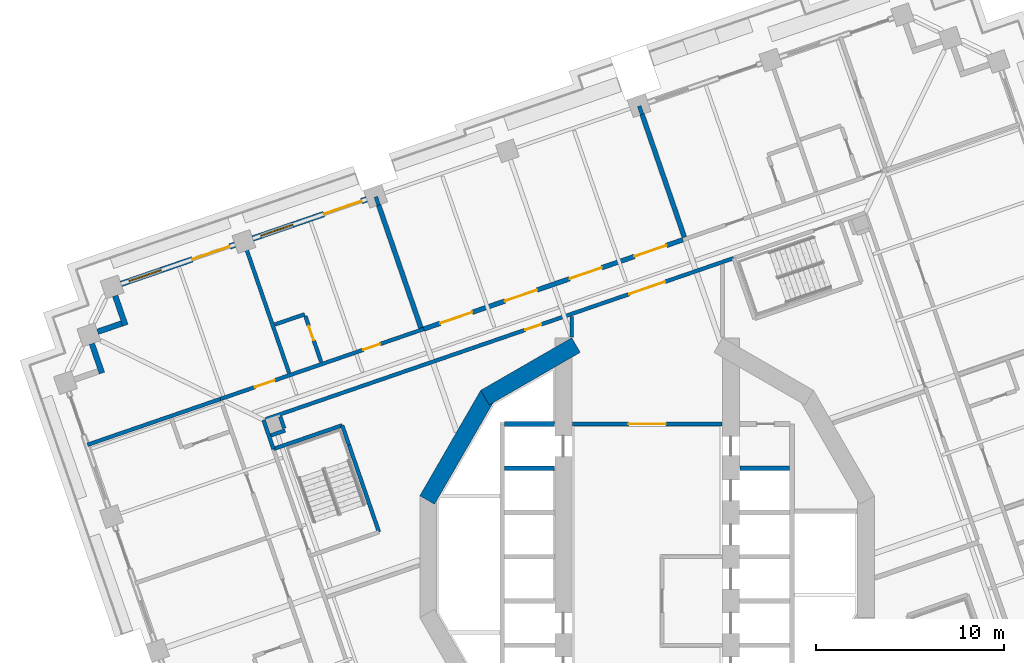
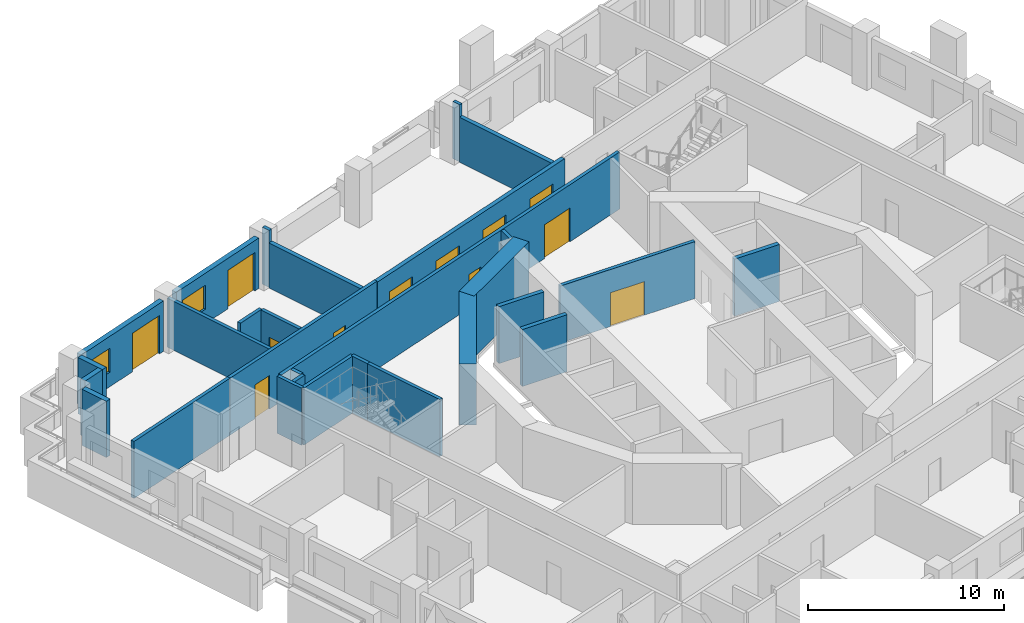
# One storey, part 8 of 18: 29 walls, 12 doors, 2 windows, 14 openings.
"""IFC4 building model written with IfcOpenShell, lengths in metres."""

from ifc_helpers import new_model, si_unit, direction, frame, frame_2d, origin, place, context, subcontext, project, spatial, rectangle, extrude, material, layer, layer_set, type_object, element, fill, save


model = new_model("IFC4")

# Units and contexts
model_context = context("Model", 3, precision=1e-05, world=origin(), true_north=direction((0.0, 1.0)))
body_context = subcontext(model_context, "Body", "Model", "MODEL_VIEW")
ifc_project = project(units=[si_unit("LENGTHUNIT", "METRE"), si_unit("AREAUNIT", "SQUARE_METRE"), si_unit("VOLUMEUNIT", "CUBIC_METRE"), si_unit("PLANEANGLEUNIT", "RADIAN"), si_unit("MASSUNIT", "GRAM", prefix="KILO")], contexts=[model_context])

# Site, building, storey
site_placement = place(None, origin())
site = spatial("IfcSite", under=ifc_project, at=site_placement, CompositionType="ELEMENT")
building_placement = place(site_placement, origin())
building = spatial("IfcBuilding", under=site, at=building_placement, Name="Cantera Rosa Tower", CompositionType="ELEMENT")
storey_placement = place(building_placement, frame((0.0, 0.0, 134.5)))
storey = spatial("IfcBuildingStorey", under=building, at=storey_placement, Name="L28", CompositionType="ELEMENT", Elevation=134.5)

# Walls
ifc_material_1 = material(Name="Gypsum board partition")
ifc_layer_1 = layer(ifc_material_1, 0.199951171875)
ifc_layer_set_1 = layer_set([ifc_layer_1], Name="CORRIDOR WALL 200 H3550")
wall_type_1 = type_object("IfcWallType", Name="CORRIDOR WALL 200 H3550", PredefinedType="PARTITIONING", material=ifc_layer_set_1)
wall_1_placement = place(storey_placement, frame((-20.37451171875, 7.262451171875, 0.0), z_axis=(0.0, 0.0, 1.0), x_axis=(0.325532736599, -0.945530770204, 0.0)))
element("IfcWall", 1, at=wall_1_placement, inside=storey, type_object=wall_type_1, Name="CORRIDOR WALL L28-007", PredefinedType="PARTITIONING", context=body_context, shape_type="SweptSolid", body=[
    extrude(rectangle(XDim=1.626708984375, YDim=0.199951171875, at=frame_2d((0.8134765625, 0.0))), origin(), (0.0, 0.0, 1.0), 3.550048828125),
])
wall_2_placement = place(storey_placement, frame((-4.0, 12.760498046875, 0.0), z_axis=(0.0, 0.0, 1.0), x_axis=(0.0, -1.0, 0.0)))
element("IfcWall", 2, at=wall_2_placement, inside=storey, type_object=wall_type_1, Name="CORRIDOR WALL L28-050", PredefinedType="PARTITIONING", context=body_context, shape_type="SweptSolid", body=[
    extrude(rectangle(XDim=1.09326171875, YDim=0.199951171875, at=frame_2d((0.546630859375, 0.0))), origin(), (0.0, 0.0, 1.0), 3.550048828125),
])

# Wall, opening, door
wall_3_placement = place(storey_placement, frame((-3.969970703125, 7.050048828125, 0.0), z_axis=(0.0, 0.0, 1.0), x_axis=(1.0, 0.0, 0.0)))
wall_3 = element("IfcWall", 3, at=wall_3_placement, inside=storey, type_object=wall_type_1, Name="CORRIDOR WALL L28-051", PredefinedType="PARTITIONING", context=body_context, shape_type="SweptSolid", body=[
    extrude(rectangle(XDim=7.93994140625, YDim=0.199951171875, at=frame_2d((3.969970703125, 0.0))), origin(), (0.0, 0.0, 1.0), 3.550048828125),
])
opening_1_placement = place(wall_3_placement, frame((2.969970703125, 0.0, 0.0)))
opening_1 = element("IfcOpeningElement", 4, at=opening_1_placement, cuts=wall_3, Name="Opening L28-011", PredefinedType="OPENING", context=body_context, shape_type="SweptSolid", body=[
    extrude(rectangle(XDim=2.0, YDim=2.10009765625, at=frame_2d((1.0, 1.050048828125))), frame((0.0, 0.10986328125, 0.0), z_axis=(0.0, -1.0, 0.0), x_axis=(1.0, 0.0, 0.0)), (0.0, 0.0, 1.0), 0.219970703125),
])
ifc_material_2 = material(Name="Steel S355J2 (EN 10025-2)", Category="steel")
door_type_1 = type_object("IfcDoorType", Name="LOBBY SCREEN DOOR 2000x2100", OperationType="NOTDEFINED", PredefinedType="DOOR", material=ifc_material_2)
door_1_placement = place(opening_1_placement, origin())
door_1 = element("IfcDoor", 5, at=door_1_placement, inside=storey, type_object=door_type_1, Name="DOOR L28-011", OperationType="NOTDEFINED", OverallHeight=2.10009765625, OverallWidth=2.0, PredefinedType="DOOR", context=body_context, shape_type="SweptSolid", body=[
    extrude(rectangle(XDim=2.0, YDim=2.10009765625, at=frame_2d((1.0, 1.050048828125))), frame((0.0, 0.02490234375, 0.0), z_axis=(0.0, -1.0, 0.0), x_axis=(1.0, 0.0, 0.0)), (0.0, 0.0, 1.0), 0.050048828125),
])
fill(opening_1, door_1)

# Wall, openings, doors
wall_4_placement = place(storey_placement, frame((4.599365234375, 15.861572265625, 0.0), z_axis=(0.0, 0.0, 1.0), x_axis=(-0.94551912499, -0.325566558907, 0.0)))
wall_4 = element("IfcWall", 6, at=wall_4_placement, inside=storey, type_object=wall_type_1, Name="CORRIDOR WALL L28-061", PredefinedType="PARTITIONING", context=body_context, shape_type="SweptSolid", body=[
    extrude(rectangle(XDim=26.292724609375, YDim=0.199951171875, at=frame_2d((13.146484375, 0.0))), origin(), (0.0, 0.0, 1.0), 3.550048828125),
])
opening_2_placement = place(wall_4_placement, frame((10.8095703125, 0.0, 0.0)))
opening_2 = element("IfcOpeningElement", 7, at=opening_2_placement, cuts=wall_4, Name="Opening L28-005", PredefinedType="OPENING", context=body_context, shape_type="SweptSolid", body=[
    extrude(rectangle(XDim=0.89990234375, YDim=2.10009765625, at=frame_2d((0.449951171875, 1.050048828125))), frame((0.0, 0.10986328125, 0.0), z_axis=(0.0, -1.0, 0.0), x_axis=(1.0, 0.0, 0.0)), (0.0, 0.0, 1.0), 0.219970703125),
])
opening_3_placement = place(wall_4_placement, frame((3.864501953125, 0.0, 0.0)))
opening_3 = element("IfcOpeningElement", 8, at=opening_3_placement, cuts=wall_4, Name="Opening L28-010", PredefinedType="OPENING", context=body_context, shape_type="SweptSolid", body=[
    extrude(rectangle(XDim=2.0, YDim=2.10009765625, at=frame_2d((1.0, 1.050048828125))), frame((0.0, 0.10986328125, 0.0), z_axis=(0.0, -1.0, 0.0), x_axis=(1.0, 0.0, 0.0)), (0.0, 0.0, 1.0), 0.219970703125),
])
door_2_placement = place(opening_3_placement, origin())
door_2 = element("IfcDoor", 9, at=door_2_placement, inside=storey, type_object=door_type_1, Name="DOOR L28-010", OperationType="NOTDEFINED", OverallHeight=2.10009765625, OverallWidth=2.0, PredefinedType="DOOR", context=body_context, shape_type="SweptSolid", body=[
    extrude(rectangle(XDim=2.0, YDim=2.10009765625, at=frame_2d((1.0, 1.050048828125))), frame((0.0, 0.02490234375, 0.0), z_axis=(0.0, -1.0, 0.0), x_axis=(1.0, 0.0, 0.0)), (0.0, 0.0, 1.0), 0.050048828125),
])
fill(opening_3, door_2)
ifc_material_3 = material(Name="Timber door leaf", Category="wood")
door_type_2 = type_object("IfcDoorType", Name="SERVICE DOOR 900x2100", OperationType="NOTDEFINED", PredefinedType="DOOR", material=ifc_material_3)
door_3_placement = place(opening_2_placement, origin())
door_3 = element("IfcDoor", 10, at=door_3_placement, inside=storey, type_object=door_type_2, Name="DOOR L28-005", OperationType="NOTDEFINED", OverallHeight=2.10009765625, OverallWidth=0.89990234375, PredefinedType="DOOR", context=body_context, shape_type="SweptSolid", body=[
    extrude(rectangle(XDim=0.89990234375, YDim=2.10009765625, at=frame_2d((0.449951171875, 1.050048828125))), frame((0.0, 0.02490234375, 0.0), z_axis=(0.0, -1.0, 0.0), x_axis=(1.0, 0.0, 0.0)), (0.0, 0.0, 1.0), 0.050048828125),
])
fill(opening_2, door_3)

wall_5_placement = place(storey_placement, frame((-11.85986328125, 12.097900390625, 0.0), z_axis=(0.0, 0.0, 1.0), x_axis=(-0.945521627167, -0.325559291927, 0.0)))
wall_5 = element("IfcWall", 11, at=wall_5_placement, inside=storey, type_object=wall_type_1, Name="CORRIDOR WALL L28-089", PredefinedType="PARTITIONING", context=body_context, shape_type="SweptSolid", body=[
    extrude(rectangle(XDim=11.4248046875, YDim=0.199951171875, at=frame_2d((5.71240234375, 0.0))), origin(), (0.0, 0.0, 1.0), 3.550048828125),
])
opening_4_placement = place(wall_5_placement, frame((2.449951171875, 0.0, 0.0)))
opening_4 = element("IfcOpeningElement", 12, at=opening_4_placement, cuts=wall_5, Name="Opening L28-024", PredefinedType="OPENING", context=body_context, shape_type="SweptSolid", body=[
    extrude(rectangle(XDim=0.949951171875, YDim=2.10009765625, at=frame_2d((0.47509765625, 1.050048828125))), frame((0.0, 0.10986328125, 0.0), z_axis=(0.0, -1.0, 0.0), x_axis=(1.0, 0.0, 0.0)), (0.0, 0.0, 1.0), 0.219970703125),
])
opening_5_placement = place(wall_5_placement, frame((8.375, 0.0, 0.0)))
opening_5 = element("IfcOpeningElement", 13, at=opening_5_placement, cuts=wall_5, Name="Opening L28-029", PredefinedType="OPENING", context=body_context, shape_type="SweptSolid", body=[
    extrude(rectangle(XDim=1.10009765625, YDim=2.10009765625, at=frame_2d((0.550048828125, 1.050048828125))), frame((0.0, 0.10986328125, 0.0), z_axis=(0.0, -1.0, 0.0), x_axis=(1.0, 0.0, 0.0)), (0.0, 0.0, 1.0), 0.219970703125),
])
ifc_material_4 = material(Name="Timber door leaf", Category="wood")
door_type_3 = type_object("IfcDoorType", Name="ROOM DOOR 1100x2100", OperationType="NOTDEFINED", PredefinedType="DOOR", material=ifc_material_4)
door_4_placement = place(opening_5_placement, origin())
door_4 = element("IfcDoor", 14, at=door_4_placement, inside=storey, type_object=door_type_3, Name="DOOR L28-029", OperationType="NOTDEFINED", OverallHeight=2.10009765625, OverallWidth=1.10009765625, PredefinedType="DOOR", context=body_context, shape_type="SweptSolid", body=[
    extrude(rectangle(XDim=1.10009765625, YDim=2.10009765625, at=frame_2d((0.550048828125, 1.050048828125))), frame((0.0, 0.02490234375, 0.0), z_axis=(0.0, -1.0, 0.0), x_axis=(1.0, 0.0, 0.0)), (0.0, 0.0, 1.0), 0.050048828125),
])
fill(opening_5, door_4)
ifc_material_5 = material(Name="Timber door leaf", Category="wood")
door_type_4 = type_object("IfcDoorType", Name="ROOM DOOR 950x2100", OperationType="NOTDEFINED", PredefinedType="DOOR", material=ifc_material_5)
door_5_placement = place(opening_4_placement, origin())
door_5 = element("IfcDoor", 15, at=door_5_placement, inside=storey, type_object=door_type_4, Name="DOOR L28-024", OperationType="NOTDEFINED", OverallHeight=2.10009765625, OverallWidth=0.949951171875, PredefinedType="DOOR", context=body_context, shape_type="SweptSolid", body=[
    extrude(rectangle(XDim=0.949951171875, YDim=2.10009765625, at=frame_2d((0.47509765625, 1.050048828125))), frame((0.0, 0.02490234375, 0.0), z_axis=(0.0, -1.0, 0.0), x_axis=(1.0, 0.0, 0.0)), (0.0, 0.0, 1.0), 0.050048828125),
])
fill(opening_4, door_5)

# Walls
ifc_material_6 = material(Name="Hollow clay masonry with cantera stone cladding", Category="masonry")
ifc_layer_2 = layer(ifc_material_6, 0.300048828125)
ifc_layer_set_2 = layer_set([ifc_layer_2], Name="EW-LOGGIA 300")
wall_type_2 = type_object("IfcWallType", Name="EW-LOGGIA 300", PredefinedType="SOLIDWALL", material=ifc_layer_set_2)
wall_6_placement = place(storey_placement, frame((-28.250732421875, 13.857421875, 0.0), z_axis=(0.0, 0.0, 1.0), x_axis=(0.325666906351, -0.945484566827, 0.0)))
element("IfcWall", 16, at=wall_6_placement, inside=storey, type_object=wall_type_2, Name="EN-L28-W14a", PredefinedType="SOLIDWALL", context=body_context, shape_type="SweptSolid", body=[
    extrude(rectangle(XDim=1.64990234375, YDim=0.300048828125, at=frame_2d((0.824951171875, 0.0))), origin(), (0.0, 0.0, 1.0), 3.5),
])
wall_7_placement = place(storey_placement, frame((-27.904052734375, 12.390380859375, 0.0), z_axis=(0.0, 0.0, 1.0), x_axis=(-0.945545797087, -0.325489086777, 0.0)))
element("IfcWall", 17, at=wall_7_placement, inside=storey, type_object=wall_type_2, Name="EN-L28-W14b", PredefinedType="SOLIDWALL", context=body_context, shape_type="SweptSolid", body=[
    extrude(rectangle(XDim=1.35009765625, YDim=0.300048828125, at=frame_2d((0.675048828125, 0.0))), origin(), (0.0, 0.0, 1.0), 3.5),
])
wall_8_placement = place(storey_placement, frame((-29.490478515625, 11.315185546875, 0.0), z_axis=(0.0, 0.0, 1.0), x_axis=(0.32553462645, -0.945530119553, 0.0)))
element("IfcWall", 18, at=wall_8_placement, inside=storey, type_object=wall_type_2, Name="EN-L28-W15a", PredefinedType="SOLIDWALL", context=body_context, shape_type="SweptSolid", body=[
    extrude(rectangle(XDim=1.64990234375, YDim=0.300048828125, at=frame_2d((0.824951171875, 0.0))), origin(), (0.0, 0.0, 1.0), 3.5),
])

# Wall, openings, window, door
ifc_material_7 = material(Name="Hollow clay masonry with cantera stone cladding", Category="masonry")
ifc_layer_3 = layer(ifc_material_7, 0.300048828125)
ifc_layer_set_3 = layer_set([ifc_layer_3], Name="EW-LOGGIA 300 H3140")
wall_type_3 = type_object("IfcWallType", Name="EW-LOGGIA 300 H3140", PredefinedType="SOLIDWALL", material=ifc_layer_set_3)
wall_9_placement = place(storey_placement, frame((-14.892578125, 18.98583984375, 0.0), z_axis=(0.0, 0.0, 1.0), x_axis=(-0.945512753621, -0.325585062219, 0.0)))
wall_9 = element("IfcWall", 19, at=wall_9_placement, inside=storey, type_object=wall_type_3, Name="EN-L28-W12", PredefinedType="SOLIDWALL", context=body_context, shape_type="SweptSolid", body=[
    extrude(rectangle(XDim=6.39990234375, YDim=0.300048828125, at=frame_2d((3.199951171875, 0.0))), origin(), (0.0, 0.0, 1.0), 3.139892578125),
])
opening_6_placement = place(wall_9_placement, frame((0.300048828125, 0.0, 0.0)))
opening_6 = element("IfcOpeningElement", 20, at=opening_6_placement, cuts=wall_9, Name="Opening L28-TD15", PredefinedType="OPENING", context=body_context, shape_type="SweptSolid", body=[
    extrude(rectangle(XDim=2.10009765625, YDim=2.39990234375, at=frame_2d((1.050048828125, 1.199951171875))), frame((0.0, 0.159912109375, 0.0), z_axis=(0.0, -1.0, 0.0), x_axis=(1.0, 0.0, 0.0)), (0.0, 0.0, 1.0), 0.320068359375),
])
opening_7_placement = place(wall_9_placement, frame((4.14990234375, 0.0, 0.89990234375)))
opening_7 = element("IfcOpeningElement", 21, at=opening_7_placement, cuts=wall_9, Name="Opening L28-W16", PredefinedType="OPENING", context=body_context, shape_type="SweptSolid", body=[
    extrude(rectangle(XDim=1.800048828125, YDim=1.5, at=frame_2d((0.89990234375, 0.75))), frame((0.0, 0.159912109375, 0.0), z_axis=(0.0, -1.0, 0.0), x_axis=(1.0, 0.0, 0.0)), (0.0, 0.0, 1.0), 0.320068359375),
])
ifc_material_8 = material(Name="Aluminium frame with clear glass", Category="aluminium")
window_type = type_object("IfcWindowType", Name="Hotel room window 1800x1500", PartitioningType="DOUBLE_PANEL_VERTICAL", PredefinedType="WINDOW", material=ifc_material_8)
window_1_placement = place(opening_7_placement, origin())
window_1 = element("IfcWindow", 22, at=window_1_placement, inside=storey, type_object=window_type, Name="WINDOW L28-W16", OverallHeight=1.5, OverallWidth=1.800048828125, PartitioningType="SINGLE_PANEL", PredefinedType="WINDOW", context=body_context, shape_type="SweptSolid", body=[
    extrude(rectangle(XDim=1.800048828125, YDim=1.5, at=frame_2d((0.89990234375, 0.75))), frame((0.0, 0.030029296875, 0.0), z_axis=(0.0, -1.0, 0.0), x_axis=(1.0, 0.0, 0.0)), (0.0, 0.0, 1.0), 0.06005859375),
])
fill(opening_7, window_1)
ifc_material_9 = material(Name="Aluminium frame with clear glass", Category="aluminium")
door_type_5 = type_object("IfcDoorType", Name="TD-H 2100x2400", OperationType="NOTDEFINED", PredefinedType="DOOR", material=ifc_material_9)
door_6_placement = place(opening_6_placement, origin())
door_6 = element("IfcDoor", 23, at=door_6_placement, inside=storey, type_object=door_type_5, Name="LOGGIA DOOR L28-TD15", OperationType="SLIDING_TO_LEFT", OverallHeight=2.39990234375, OverallWidth=2.10009765625, PredefinedType="DOOR", context=body_context, shape_type="SweptSolid", body=[
    extrude(rectangle(XDim=2.10009765625, YDim=2.39990234375, at=frame_2d((1.050048828125, 1.199951171875))), frame((0.0, 0.02490234375, 0.0), z_axis=(0.0, -1.0, 0.0), x_axis=(1.0, 0.0, 0.0)), (0.0, 0.0, 1.0), 0.050048828125),
])
fill(opening_6, door_6)

wall_10_placement = place(storey_placement, frame((-21.889404296875, 16.57666015625, 0.0), z_axis=(0.0, 0.0, 1.0), x_axis=(-0.945512753621, -0.325585062219, 0.0)))
wall_10 = element("IfcWall", 24, at=wall_10_placement, inside=storey, type_object=wall_type_3, Name="EN-L28-W13", PredefinedType="SOLIDWALL", context=body_context, shape_type="SweptSolid", body=[
    extrude(rectangle(XDim=6.39990234375, YDim=0.300048828125, at=frame_2d((3.199951171875, 0.0))), origin(), (0.0, 0.0, 1.0), 3.139892578125),
])
opening_8_placement = place(wall_10_placement, frame((0.300048828125, 0.0, 0.0)))
opening_8 = element("IfcOpeningElement", 25, at=opening_8_placement, cuts=wall_10, Name="Opening L28-TD17", PredefinedType="OPENING", context=body_context, shape_type="SweptSolid", body=[
    extrude(rectangle(XDim=2.10009765625, YDim=2.39990234375, at=frame_2d((1.050048828125, 1.199951171875))), frame((0.0, 0.159912109375, 0.0), z_axis=(0.0, -1.0, 0.0), x_axis=(1.0, 0.0, 0.0)), (0.0, 0.0, 1.0), 0.320068359375),
])
opening_9_placement = place(wall_10_placement, frame((4.14990234375, 0.0, 0.89990234375)))
opening_9 = element("IfcOpeningElement", 26, at=opening_9_placement, cuts=wall_10, Name="Opening L28-W18", PredefinedType="OPENING", context=body_context, shape_type="SweptSolid", body=[
    extrude(rectangle(XDim=1.800048828125, YDim=1.5, at=frame_2d((0.89990234375, 0.75))), frame((0.0, 0.159912109375, 0.0), z_axis=(0.0, -1.0, 0.0), x_axis=(1.0, 0.0, 0.0)), (0.0, 0.0, 1.0), 0.320068359375),
])
window_2_placement = place(opening_9_placement, origin())
window_2 = element("IfcWindow", 27, at=window_2_placement, inside=storey, type_object=window_type, Name="WINDOW L28-W18", OverallHeight=1.5, OverallWidth=1.800048828125, PartitioningType="SINGLE_PANEL", PredefinedType="WINDOW", context=body_context, shape_type="SweptSolid", body=[
    extrude(rectangle(XDim=1.800048828125, YDim=1.5, at=frame_2d((0.89990234375, 0.75))), frame((0.0, 0.030029296875, 0.0), z_axis=(0.0, -1.0, 0.0), x_axis=(1.0, 0.0, 0.0)), (0.0, 0.0, 1.0), 0.06005859375),
])
fill(opening_9, window_2)
door_7_placement = place(opening_8_placement, origin())
door_7 = element("IfcDoor", 28, at=door_7_placement, inside=storey, type_object=door_type_5, Name="LOGGIA DOOR L28-TD17", OperationType="SLIDING_TO_LEFT", OverallHeight=2.39990234375, OverallWidth=2.10009765625, PredefinedType="DOOR", context=body_context, shape_type="SweptSolid", body=[
    extrude(rectangle(XDim=2.10009765625, YDim=2.39990234375, at=frame_2d((1.050048828125, 1.199951171875))), frame((0.0, 0.02490234375, 0.0), z_axis=(0.0, -1.0, 0.0), x_axis=(1.0, 0.0, 0.0)), (0.0, 0.0, 1.0), 0.050048828125),
])
fill(opening_8, door_7)

# Walls
ifc_material_10 = material(Name="Concrete C40/50", Category="concrete")
ifc_layer_4 = layer(ifc_material_10, 0.25)
ifc_layer_set_4 = layer_set([ifc_layer_4], Name="EW-POCKET CHEEK 250 H2795")
wall_type_4 = type_object("IfcWallType", Name="EW-POCKET CHEEK 250 H2795", PredefinedType="SOLIDWALL", material=ifc_layer_set_4)
wall_11_placement = place(storey_placement, frame((-0.263427734375, 23.494384765625, 0.0), z_axis=(0.0, 0.0, 1.0), x_axis=(0.325585020105, -0.945512768123, 0.0)))
element("IfcWall", 29, at=wall_11_placement, inside=storey, type_object=wall_type_4, Name="POCKET CHEEK A L28", PredefinedType="SOLIDWALL", context=body_context, shape_type="SweptSolid", body=[
    extrude(rectangle(XDim=6.900146484375, YDim=0.25, at=frame_2d((3.4501953125, 0.0))), origin(), (0.0, 0.0, 1.0), 2.794921875),
])
wall_12_placement = place(storey_placement, frame((-14.257080078125, 18.67578125, 0.0), z_axis=(0.0, 0.0, 1.0), x_axis=(0.325595912607, -0.945509017246, 0.0)))
element("IfcWall", 30, at=wall_12_placement, inside=storey, type_object=wall_type_4, Name="POCKET CHEEK B L28", PredefinedType="SOLIDWALL", context=body_context, shape_type="SweptSolid", body=[
    extrude(rectangle(XDim=6.89990234375, YDim=0.25, at=frame_2d((3.449951171875, 0.0))), origin(), (0.0, 0.0, 1.0), 2.794921875),
])

# Wall, openings, doors
ifc_material_11 = material(Name="Hollow clay masonry with cantera stone cladding", Category="masonry")
ifc_layer_5 = layer(ifc_material_11, 0.25)
ifc_layer_set_5 = layer_set([ifc_layer_5], Name="EW-POCKET REAR 250")
wall_type_5 = type_object("IfcWallType", Name="EW-POCKET REAR 250", PredefinedType="SOLIDWALL", material=ifc_layer_set_5)
wall_13_placement = place(storey_placement, frame((1.8974609375, 16.8349609375, 0.0), z_axis=(0.0, 0.0, 1.0), x_axis=(-0.945517857679, -0.325570239442, 0.0)))
wall_13 = element("IfcWall", 31, at=wall_13_placement, inside=storey, type_object=wall_type_5, Name="POCKET REAR L28", PredefinedType="SOLIDWALL", context=body_context, shape_type="SweptSolid", body=[
    extrude(rectangle(XDim=14.550048828125, YDim=0.25, at=frame_2d((7.27490234375, 0.0))), origin(), (0.0, 0.0, 1.0), 3.5),
])
opening_10_placement = place(wall_13_placement, frame((0.918701171875, 0.0, 0.0)))
opening_10 = element("IfcOpeningElement", 32, at=opening_10_placement, cuts=wall_13, Name="Opening L28-LT01", PredefinedType="OPENING", context=body_context, shape_type="SweptSolid", body=[
    extrude(rectangle(XDim=1.800048828125, YDim=2.39990234375, at=frame_2d((0.89990234375, 1.199951171875))), frame((0.0, 0.135009765625, 0.0), z_axis=(0.0, -1.0, 0.0), x_axis=(1.0, 0.0, 0.0)), (0.0, 0.0, 1.0), 0.27001953125),
])
opening_11_placement = place(wall_13_placement, frame((4.55615234375, 0.0, 0.0)))
opening_11 = element("IfcOpeningElement", 33, at=opening_11_placement, cuts=wall_13, Name="Opening L28-LT02", PredefinedType="OPENING", context=body_context, shape_type="SweptSolid", body=[
    extrude(rectangle(XDim=1.800048828125, YDim=2.39990234375, at=frame_2d((0.89990234375, 1.199951171875))), frame((0.0, 0.135009765625, 0.0), z_axis=(0.0, -1.0, 0.0), x_axis=(1.0, 0.0, 0.0)), (0.0, 0.0, 1.0), 0.27001953125),
])
opening_12_placement = place(wall_13_placement, frame((8.19384765625, 0.0, 0.0)))
opening_12 = element("IfcOpeningElement", 34, at=opening_12_placement, cuts=wall_13, Name="Opening L28-LT03", PredefinedType="OPENING", context=body_context, shape_type="SweptSolid", body=[
    extrude(rectangle(XDim=1.800048828125, YDim=2.39990234375, at=frame_2d((0.89990234375, 1.199951171875))), frame((0.0, 0.135009765625, 0.0), z_axis=(0.0, -1.0, 0.0), x_axis=(1.0, 0.0, 0.0)), (0.0, 0.0, 1.0), 0.27001953125),
])
opening_13_placement = place(wall_13_placement, frame((11.831298828125, 0.0, 0.0)))
opening_13 = element("IfcOpeningElement", 35, at=opening_13_placement, cuts=wall_13, Name="Opening L28-LT04", PredefinedType="OPENING", context=body_context, shape_type="SweptSolid", body=[
    extrude(rectangle(XDim=1.800048828125, YDim=2.39990234375, at=frame_2d((0.89990234375, 1.199951171875))), frame((0.0, 0.135009765625, 0.0), z_axis=(0.0, -1.0, 0.0), x_axis=(1.0, 0.0, 0.0)), (0.0, 0.0, 1.0), 0.27001953125),
])
ifc_material_12 = material(Name="Aluminium frame with clear glass", Category="aluminium")
door_type_6 = type_object("IfcDoorType", Name="TD-T 1800x2400", OperationType="NOTDEFINED", PredefinedType="DOOR", material=ifc_material_12)
door_8_placement = place(opening_10_placement, origin())
door_8 = element("IfcDoor", 36, at=door_8_placement, inside=storey, type_object=door_type_6, Name="TERRACE DOOR L28-LT01", OperationType="DOUBLE_DOOR_SINGLE_SWING", OverallHeight=2.39990234375, OverallWidth=1.800048828125, PredefinedType="DOOR", context=body_context, shape_type="SweptSolid", body=[
    extrude(rectangle(XDim=1.800048828125, YDim=2.39990234375, at=frame_2d((0.89990234375, 1.199951171875))), frame((0.0, 0.02490234375, 0.0), z_axis=(0.0, -1.0, 0.0), x_axis=(1.0, 0.0, 0.0)), (0.0, 0.0, 1.0), 0.050048828125),
])
fill(opening_10, door_8)
door_9_placement = place(opening_11_placement, origin())
door_9 = element("IfcDoor", 37, at=door_9_placement, inside=storey, type_object=door_type_6, Name="TERRACE DOOR L28-LT02", OperationType="DOUBLE_DOOR_SINGLE_SWING", OverallHeight=2.39990234375, OverallWidth=1.800048828125, PredefinedType="DOOR", context=body_context, shape_type="SweptSolid", body=[
    extrude(rectangle(XDim=1.800048828125, YDim=2.39990234375, at=frame_2d((0.89990234375, 1.199951171875))), frame((0.0, 0.02490234375, 0.0), z_axis=(0.0, -1.0, 0.0), x_axis=(1.0, 0.0, 0.0)), (0.0, 0.0, 1.0), 0.050048828125),
])
fill(opening_11, door_9)
door_10_placement = place(opening_12_placement, origin())
door_10 = element("IfcDoor", 38, at=door_10_placement, inside=storey, type_object=door_type_6, Name="TERRACE DOOR L28-LT03", OperationType="DOUBLE_DOOR_SINGLE_SWING", OverallHeight=2.39990234375, OverallWidth=1.800048828125, PredefinedType="DOOR", context=body_context, shape_type="SweptSolid", body=[
    extrude(rectangle(XDim=1.800048828125, YDim=2.39990234375, at=frame_2d((0.89990234375, 1.199951171875))), frame((0.0, 0.02490234375, 0.0), z_axis=(0.0, -1.0, 0.0), x_axis=(1.0, 0.0, 0.0)), (0.0, 0.0, 1.0), 0.050048828125),
])
fill(opening_12, door_10)
door_11_placement = place(opening_13_placement, origin())
door_11 = element("IfcDoor", 39, at=door_11_placement, inside=storey, type_object=door_type_6, Name="TERRACE DOOR L28-LT04", OperationType="DOUBLE_DOOR_SINGLE_SWING", OverallHeight=2.39990234375, OverallWidth=1.800048828125, PredefinedType="DOOR", context=body_context, shape_type="SweptSolid", body=[
    extrude(rectangle(XDim=1.800048828125, YDim=2.39990234375, at=frame_2d((0.89990234375, 1.199951171875))), frame((0.0, 0.02490234375, 0.0), z_axis=(0.0, -1.0, 0.0), x_axis=(1.0, 0.0, 0.0)), (0.0, 0.0, 1.0), 0.050048828125),
])
fill(opening_13, door_11)

# Walls
ifc_material_13 = material(Name="Gypsum board partition")
ifc_layer_6 = layer(ifc_material_13, 0.199951171875)
ifc_layer_set_6 = layer_set([ifc_layer_6], Name="PARTITION 200 H3550")
wall_type_6 = type_object("IfcWallType", Name="PARTITION 200 H3550", PredefinedType="PARTITIONING", material=ifc_layer_set_6)
wall_14_placement = place(storey_placement, frame((-19.98681640625, 6.444091796875, 0.0), z_axis=(0.0, 0.0, 1.0), x_axis=(0.945586856903, 0.325369783557, 0.0)))
element("IfcWall", 40, at=wall_14_placement, inside=storey, type_object=wall_type_6, Name="PARTITION L28-010", PredefinedType="PARTITIONING", context=body_context, shape_type="SweptSolid", body=[
    extrude(rectangle(XDim=0.7998046875, YDim=0.199951171875, at=frame_2d((0.39990234375, 0.0))), origin(), (0.0, 0.0, 1.0), 3.550048828125),
])
wall_15_placement = place(storey_placement, frame((-19.77294921875, 12.33447265625, 0.0), z_axis=(0.0, 0.0, 1.0), x_axis=(0.945482578037, 0.3256726802, 0.0)))
element("IfcWall", 41, at=wall_15_placement, inside=storey, type_object=wall_type_6, Name="PARTITION L28-011", PredefinedType="PARTITIONING", context=body_context, shape_type="SweptSolid", body=[
    extrude(rectangle(XDim=1.679931640625, YDim=0.199951171875, at=frame_2d((0.83984375, 0.0))), origin(), (0.0, 0.0, 1.0), 3.550048828125),
])
wall_16_placement = place(storey_placement, frame((-19.26953125, 6.81787109375, 0.0), z_axis=(0.0, 0.0, 1.0), x_axis=(-0.32553462645, 0.945530119553, 0.0)))
element("IfcWall", 42, at=wall_16_placement, inside=storey, type_object=wall_type_6, Name="PARTITION L28-015", PredefinedType="PARTITIONING", context=body_context, shape_type="SweptSolid", body=[
    extrude(rectangle(XDim=0.659912109375, YDim=0.199951171875, at=frame_2d((0.330078125, 0.0))), origin(), (0.0, 0.0, 1.0), 3.550048828125),
])

# Wall, opening, door
wall_17_placement = place(storey_placement, frame((-18.152099609375, 12.786865234375, 0.0), z_axis=(0.0, 0.0, 1.0), x_axis=(0.325608632474, -0.945504636931, 0.0)))
wall_17 = element("IfcWall", 43, at=wall_17_placement, inside=storey, type_object=wall_type_6, Name="PARTITION L28-017", PredefinedType="PARTITIONING", context=body_context, shape_type="SweptSolid", body=[
    extrude(rectangle(XDim=2.580078125, YDim=0.199951171875, at=frame_2d((1.2900390625, 0.0))), origin(), (0.0, 0.0, 1.0), 3.550048828125),
])
opening_14_placement = place(wall_17_placement, frame((0.56396484375, 0.0, 0.0)))
opening_14 = element("IfcOpeningElement", 44, at=opening_14_placement, cuts=wall_17, Name="Opening L28-025", PredefinedType="OPENING", context=body_context, shape_type="SweptSolid", body=[
    extrude(rectangle(XDim=0.800048828125, YDim=2.10009765625, at=frame_2d((0.39990234375, 1.050048828125))), frame((0.0, 0.10986328125, 0.0), z_axis=(0.0, -1.0, 0.0), x_axis=(1.0, 0.0, 0.0)), (0.0, 0.0, 1.0), 0.219970703125),
])
ifc_material_14 = material(Name="Timber door leaf", Category="wood")
door_type_7 = type_object("IfcDoorType", Name="BATHROOM DOOR 800x2100", OperationType="NOTDEFINED", PredefinedType="DOOR", material=ifc_material_14)
door_12_placement = place(opening_14_placement, origin())
door_12 = element("IfcDoor", 45, at=door_12_placement, inside=storey, type_object=door_type_7, Name="DOOR L28-025", OperationType="NOTDEFINED", OverallHeight=2.10009765625, OverallWidth=0.800048828125, PredefinedType="DOOR", context=body_context, shape_type="SweptSolid", body=[
    extrude(rectangle(XDim=0.800048828125, YDim=2.10009765625, at=frame_2d((0.39990234375, 1.050048828125))), frame((0.0, 0.02490234375, 0.0), z_axis=(0.0, -1.0, 0.0), x_axis=(1.0, 0.0, 0.0)), (0.0, 0.0, 1.0), 0.050048828125),
])
fill(opening_14, door_12)

# Walls
ifc_material_15 = material(Name="Gypsum board partition")
ifc_layer_7 = layer(ifc_material_15, 0.199951171875)
ifc_layer_set_7 = layer_set([ifc_layer_7], Name="PARTY WALL 200 H3050")
wall_type_7 = type_object("IfcWallType", Name="PARTY WALL 200 H3050", PredefinedType="PARTITIONING", material=ifc_layer_set_7)
wall_18_placement = place(storey_placement, frame((-19.013916015625, 9.761474609375, 0.0), z_axis=(0.0, 0.0, 1.0), x_axis=(-0.32558937169, 0.945511269654, 0.0)))
element("IfcWall", 46, at=wall_18_placement, inside=storey, type_object=wall_type_7, Name="PARTY WALL L28-016", PredefinedType="PARTITIONING", context=body_context, shape_type="SweptSolid", body=[
    extrude(rectangle(XDim=7.349853515625, YDim=0.199951171875, at=frame_2d((3.6748046875, 0.0))), origin(), (0.0, 0.0, 1.0), 3.050048828125),
])
ifc_material_16 = material(Name="Gypsum board partition")
ifc_layer_8 = layer(ifc_material_16, 0.199951171875)
ifc_layer_set_8 = layer_set([ifc_layer_8], Name="PARTY WALL 200 H3550")
wall_type_8 = type_object("IfcWallType", Name="PARTY WALL 200 H3550", PredefinedType="PARTITIONING", material=ifc_layer_set_8)
wall_19_placement = place(storey_placement, frame((-22.662353515625, 8.37841796875, 0.0), z_axis=(0.0, 0.0, 1.0), x_axis=(-0.945512517373, -0.325585748291, 0.0)))
element("IfcWall", 47, at=wall_19_placement, inside=storey, type_object=wall_type_8, Name="PARTY WALL L28-002", PredefinedType="PARTITIONING", context=body_context, shape_type="SweptSolid", body=[
    extrude(rectangle(XDim=7.469970703125, YDim=0.199951171875, at=frame_2d((3.73486328125, 0.0))), origin(), (0.0, 0.0, 1.0), 3.550048828125),
])
wall_20_placement = place(storey_placement, frame((-14.409912109375, 19.120361328125, 0.0), z_axis=(0.0, 0.0, 1.0), x_axis=(0.325094282218, -0.945681610094, 0.0)))
element("IfcWall", 48, at=wall_20_placement, inside=storey, type_object=wall_type_8, Name="PARTY WALL L28-025", PredefinedType="PARTITIONING", context=body_context, shape_type="SweptSolid", body=[
    extrude(rectangle(XDim=0.47021484375, YDim=0.199951171875, at=frame_2d((0.235107421875, 0.0))), origin(), (0.0, 0.0, 1.0), 3.550048828125),
])
wall_21_placement = place(storey_placement, frame((-0.26318359375, 23.494384765625, 0.0), z_axis=(0.0, 0.0, 1.0), x_axis=(-0.325718504865, 0.94546679243, 0.0)))
element("IfcWall", 49, at=wall_21_placement, inside=storey, type_object=wall_type_8, Name="PARTY WALL L28-055", PredefinedType="PARTITIONING", context=body_context, shape_type="SweptSolid", body=[
    extrude(rectangle(XDim=0.469970703125, YDim=0.199951171875, at=frame_2d((0.23486328125, 0.0))), origin(), (0.0, 0.0, 1.0), 3.550048828125),
])
ifc_material_17 = material(Name="Concrete C70/85", Category="concrete")
ifc_layer_9 = layer(ifc_material_17, 0.89990234375)
ifc_layer_set_9 = layer_set([ifc_layer_9], Name="RC CORE WALL 900 C70/85")
wall_type_9 = type_object("IfcWallType", Name="RC CORE WALL 900 C70/85", PredefinedType="SHEAR", material=ifc_layer_set_9)
wall_22_placement = place(storey_placement, frame((-11.684326171875, 3.01025390625, 0.0), z_axis=(0.0, 0.0, 1.0), x_axis=(0.499990282633, 0.866031014036, 0.0)))
element("IfcWall", 50, at=wall_22_placement, inside=storey, type_object=wall_type_9, Name="CW-W4 L28", PredefinedType="SHEAR", context=body_context, shape_type="SweptSolid", body=[
    extrude(rectangle(XDim=6.470458984375, YDim=0.89990234375, at=frame_2d((3.2353515625, 0.0))), origin(), (0.0, 0.0, 1.0), 3.800048828125),
])
wall_23_placement = place(storey_placement, frame((-8.61376953125, 8.44921875, 0.0), z_axis=(0.0, 0.0, 1.0), x_axis=(0.866026961591, 0.49999730179, 0.0)))
element("IfcWall", 51, at=wall_23_placement, inside=storey, type_object=wall_type_9, Name="CW-W5 L28", PredefinedType="SHEAR", context=body_context, shape_type="SweptSolid", body=[
    extrude(rectangle(XDim=5.58740234375, YDim=0.89990234375, at=frame_2d((2.793701171875, 0.0))), origin(), (0.0, 0.0, 1.0), 3.800048828125),
])
ifc_material_18 = material(Name="Masonry blockwork", Category="masonry")
ifc_layer_10 = layer(ifc_material_18, 0.25)
ifc_layer_set_10 = layer_set([ifc_layer_10], Name="SHAFT WALL 250 H3550")
wall_type_10 = type_object("IfcWallType", Name="SHAFT WALL 250 H3550", PredefinedType="SOLIDWALL", material=ifc_layer_set_10)
wall_24_placement = place(storey_placement, frame((-7.574951171875, 4.699951171875, 0.0), z_axis=(0.0, 0.0, 1.0), x_axis=(1.0, 0.0, 0.0)))
element("IfcWall", 52, at=wall_24_placement, inside=storey, type_object=wall_type_10, Name="SHAFT WALL L28-042", PredefinedType="SOLIDWALL", context=body_context, shape_type="SweptSolid", body=[
    extrude(rectangle(XDim=2.64501953125, YDim=0.25, at=frame_2d((1.322509765625, 0.0))), origin(), (0.0, 0.0, 1.0), 3.550048828125),
])
wall_25_placement = place(storey_placement, frame((-4.929931640625, 7.050048828125, 0.0), z_axis=(0.0, 0.0, 1.0), x_axis=(-1.0, 0.0, 0.0)))
element("IfcWall", 53, at=wall_25_placement, inside=storey, type_object=wall_type_10, Name="SHAFT WALL L28-046", PredefinedType="SOLIDWALL", context=body_context, shape_type="SweptSolid", body=[
    extrude(rectangle(XDim=2.650146484375, YDim=0.25, at=frame_2d((1.3251953125, 0.0))), origin(), (0.0, 0.0, 1.0), 3.550048828125),
])
wall_26_placement = place(storey_placement, frame((7.574951171875, 4.699951171875, 0.0), z_axis=(0.0, 0.0, 1.0), x_axis=(-1.0, 0.0, 0.0)))
element("IfcWall", 54, at=wall_26_placement, inside=storey, type_object=wall_type_10, Name="SHAFT WALL L28-075", PredefinedType="SOLIDWALL", context=body_context, shape_type="SweptSolid", body=[
    extrude(rectangle(XDim=2.64501953125, YDim=0.25, at=frame_2d((1.322509765625, 0.0))), origin(), (0.0, 0.0, 1.0), 3.550048828125),
])
ifc_material_19 = material(Name="Concrete C50/60", Category="concrete")
ifc_layer_11 = layer(ifc_material_19, 0.199951171875)
ifc_layer_set_11 = layer_set([ifc_layer_11], Name="STAIR WALL 200 H3550")
wall_type_11 = type_object("IfcWallType", Name="STAIR WALL 200 H3550", PredefinedType="SOLIDWALL", material=ifc_layer_set_11)
wall_27_placement = place(storey_placement, frame((-16.193115234375, 6.98193359375, 0.0), z_axis=(0.0, 0.0, 1.0), x_axis=(-0.945507920529, -0.325599097382, 0.0)))
element("IfcWall", 55, at=wall_27_placement, inside=storey, type_object=wall_type_11, Name="STAIR WALL L28-022", PredefinedType="SOLIDWALL", context=body_context, shape_type="SweptSolid", body=[
    extrude(rectangle(XDim=3.8623046875, YDim=0.199951171875, at=frame_2d((1.93115234375, 0.0))), origin(), (0.0, 0.0, 1.0), 3.550048828125),
])
wall_28_placement = place(storey_placement, frame((-14.239501953125, 1.308837890625, 0.0), z_axis=(0.0, 0.0, 1.0), x_axis=(-0.325599106316, 0.945507917453, 0.0)))
element("IfcWall", 56, at=wall_28_placement, inside=storey, type_object=wall_type_11, Name="STAIR WALL L28-026", PredefinedType="SOLIDWALL", context=body_context, shape_type="SweptSolid", body=[
    extrude(rectangle(XDim=4.900146484375, YDim=0.199951171875, at=frame_2d((2.4501953125, 0.0))), origin(), (0.0, 0.0, 1.0), 3.550048828125),
])
wall_29_placement = place(storey_placement, frame((-15.8349609375, 5.94189453125, 0.0), z_axis=(0.0, 0.0, 1.0), x_axis=(-0.325600768791, 0.945507344955, 0.0)))
element("IfcWall", 57, at=wall_29_placement, inside=storey, type_object=wall_type_11, Name="STAIR WALL L28-026 J", PredefinedType="SOLIDWALL", context=body_context, shape_type="SweptSolid", body=[
    extrude(rectangle(XDim=1.10009765625, YDim=0.199951171875, at=frame_2d((0.550048828125, 0.0))), origin(), (0.0, 0.0, 1.0), 3.550048828125),
])

save(model, "model.ifc")
